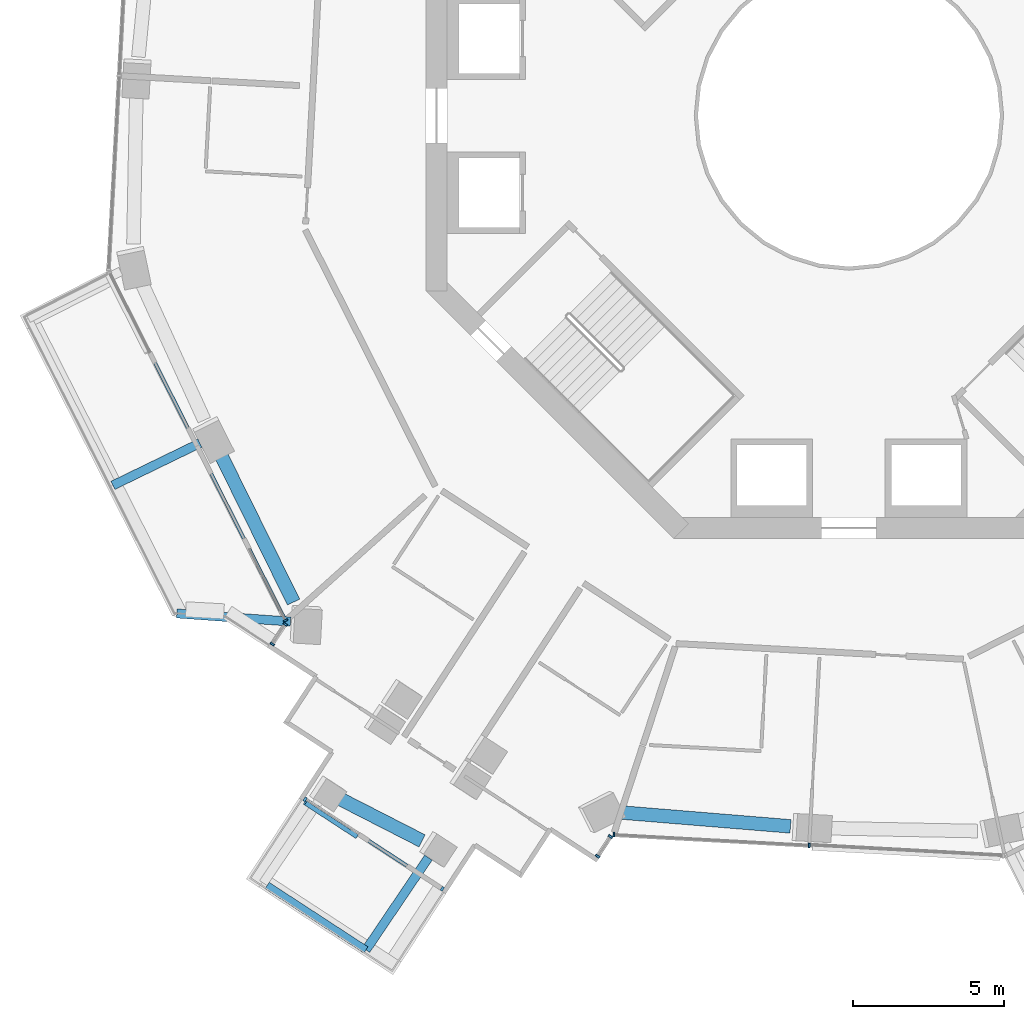
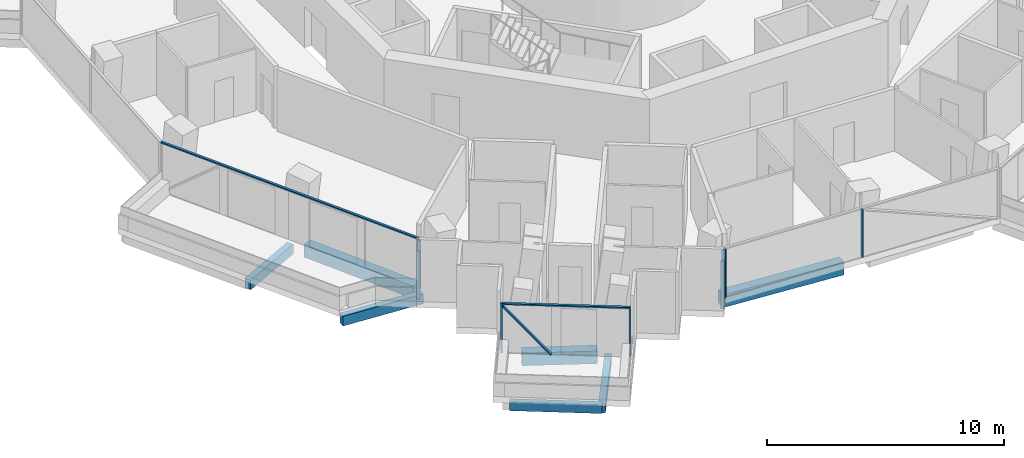
# One storey, part 2 of 23: 12 members, 7 beams, 5 elements without a shape of their own.
"""IFC4 building model written with IfcOpenShell, lengths in metres."""

from ifc_helpers import new_model, si_unit, direction, frame, origin, origin_2d, place, context, subcontext, project, spatial, rectangle, extrude, material, layer, layer_set, material_profile, profile_set, type_object, element, aggregate, save


model = new_model("IFC4")

# Units and contexts
model_context = context("Model", 3, precision=1e-05, world=origin(), true_north=direction((0.0, 1.0)))
body_context = subcontext(model_context, "Body", "Model", "MODEL_VIEW")
ifc_project = project(units=[si_unit("LENGTHUNIT", "METRE"), si_unit("AREAUNIT", "SQUARE_METRE"), si_unit("VOLUMEUNIT", "CUBIC_METRE"), si_unit("PLANEANGLEUNIT", "RADIAN"), si_unit("MASSUNIT", "GRAM", prefix="KILO")], contexts=[model_context])

# Site, building, storey
site_placement = place(None, origin())
site = spatial("IfcSite", under=ifc_project, at=site_placement, CompositionType="ELEMENT")
building_placement = place(site_placement, origin())
building = spatial("IfcBuilding", under=site, at=building_placement, Name="Verdalira Terraces Hotel", CompositionType="ELEMENT")
storey_placement = place(building_placement, frame((0.0, 0.0, 143.5)))
storey = spatial("IfcBuildingStorey", under=building, at=storey_placement, Name="L34", CompositionType="ELEMENT", Elevation=143.5)

# Beams
ifc_material_1 = material(Name="Concrete C40", Category="concrete")
ifc_material_profile_1 = material_profile(ifc_material_1, rectangle(XDim=0.300049, YDim=0.5, at=origin_2d()), Name="RC 300X500")
ifc_profile_set_1 = profile_set([ifc_material_profile_1], Name="Concrete C40")
beam_type_1 = type_object("IfcBeamType", Name="Balcony cantilever beam RC 300X500 C40", PredefinedType="BEAM", material=ifc_profile_set_1)
beam_1_placement = place(storey_placement, frame((-18.480225, -16.744141, -0.560059), z_axis=(-0.997468553, 0.071108977, 0.0), x_axis=(-0.071108977, -0.997468553, 0.0)))
element("IfcBeam", 1, at=beam_1_placement, inside=storey, type_object=beam_type_1, Name="Balcony cantilever beam R13-1", PredefinedType="BEAM", context=body_context, shape_type="SweptSolid", body=[
    extrude(rectangle(XDim=0.300049, YDim=0.5, at=origin_2d()), origin(), (0.0, 0.0, 1.0), 3.769775),
])
beam_2_placement = place(storey_placement, frame((-21.477783, -10.839111, -0.560059), z_axis=(-0.899404506, -0.437117302, 0.0), x_axis=(0.437117302, -0.899404506, 0.0)))
element("IfcBeam", 2, at=beam_2_placement, inside=storey, type_object=beam_type_1, Name="Balcony cantilever beam R13-3", PredefinedType="BEAM", context=body_context, shape_type="SweptSolid", body=[
    extrude(rectangle(XDim=0.300049, YDim=0.5, at=origin_2d()), origin(), (0.0, 0.0, 1.0), 3.200928),
])
beam_3_placement = place(storey_placement, frame((-13.916504, -24.556396, -0.560059), z_axis=(-0.56032406, -0.828273474, 0.0), x_axis=(0.828273474, -0.56032406, 0.0)))
element("IfcBeam", 3, at=beam_3_placement, inside=storey, type_object=beam_type_1, Name="Balcony cantilever beam R19-2", PredefinedType="BEAM", context=body_context, shape_type="SweptSolid", body=[
    extrude(rectangle(XDim=0.300049, YDim=0.5, at=origin_2d()), origin(), (0.0, 0.0, 1.0), 3.688232),
])
ifc_material_2 = material(Name="Concrete C40", Category="concrete")
ifc_material_profile_2 = material_profile(ifc_material_2, rectangle(XDim=0.25, YDim=0.449951, at=origin_2d()), Name="RC 250X450")
ifc_profile_set_2 = profile_set([ifc_material_profile_2], Name="Concrete C40")
beam_type_2 = type_object("IfcBeamType", Name="Balcony edge beam RC 250X450 C40", PredefinedType="BEAM", material=ifc_profile_set_2)
beam_4_placement = place(storey_placement, frame((-19.252197, -25.478516, -0.534912), z_axis=(0.837513527, -0.546416592, 0.0), x_axis=(0.546416592, 0.837513527, 0.0)))
element("IfcBeam", 4, at=beam_4_placement, inside=storey, type_object=beam_type_2, Name="Balcony edge beam R19-1", PredefinedType="BEAM", context=body_context, shape_type="SweptSolid", body=[
    extrude(rectangle(XDim=0.25, YDim=0.449951, at=origin_2d()), origin(), (0.0, 0.0, 1.0), 3.90332),
])

# Curtain wall, member
ifc_material_3 = material(Name="Clear glass", Category="glass")
ifc_layer_1 = layer(ifc_material_3, 0.14990234375)
ifc_layer_set_1 = layer_set([ifc_layer_1], Name="CW1 curtain wall")
curtain_wall_type_1 = type_object("IfcCurtainWallType", Name="CW1 curtain wall", PredefinedType="NOTDEFINED", material=ifc_layer_set_1)
curtain_wall_1_placement = place(storey_placement, origin())
curtain_wall_1 = element("IfcCurtainWall", 5, at=curtain_wall_1_placement, inside=storey, type_object=curtain_wall_type_1, Name="CW1 curtain wall L34 edge 13", PredefinedType="NOTDEFINED")
ifc_material_4 = material(Name="Terracotta frame", Category="masonry")
ifc_material_profile_3 = material_profile(ifc_material_4, rectangle(XDim=0.060059, YDim=0.149902, at=origin_2d()), Name="MU 60x150")
ifc_profile_set_3 = profile_set([ifc_material_profile_3], Name="Terracotta frame")
member_type_1 = type_object("IfcMemberType", Name="CW1 mullion 60x150", PredefinedType="MULLION", material=ifc_profile_set_3)
member_1_placement = place(storey_placement, frame((-18.645264, -16.704834, 0.0), z_axis=(0.0, 0.0, 1.0), x_axis=(0.452123386, -0.891955405, 0.0)))
member_1 = element("IfcMember", 6, at=member_1_placement, type_object=member_type_1, Name="CW1 mullion", PredefinedType="MULLION", context=body_context, shape_type="SweptSolid", body=[
    extrude(rectangle(XDim=0.060059, YDim=0.149902, at=origin_2d()), origin(), (0.0, 0.0, 1.0), 2.475098),
])

# Curtain wall, members
curtain_wall_2_placement = place(storey_placement, origin())
curtain_wall_2 = element("IfcCurtainWall", 7, at=curtain_wall_2_placement, inside=storey, type_object=curtain_wall_type_1, Name="CW1 curtain wall L34 edge 25", PredefinedType="NOTDEFINED")
member_2_placement = place(storey_placement, frame((-7.776611, -23.79541, 0.0), z_axis=(0.0, 0.0, 1.0), x_axis=(0.998517732, -0.054427365, 0.0)))
member_2 = element("IfcMember", 8, at=member_2_placement, type_object=member_type_1, Name="CW1 mullion", PredefinedType="MULLION", context=body_context, shape_type="SweptSolid", body=[
    extrude(rectangle(XDim=0.060059, YDim=0.149902, at=origin_2d()), origin(), (0.0, 0.0, 1.0), 2.475098),
])
member_3_placement = place(storey_placement, frame((-1.316162, -24.147461, 0.0), z_axis=(0.0, 0.0, 1.0), x_axis=(0.998517732, -0.054427365, 0.0)))
member_3 = element("IfcMember", 9, at=member_3_placement, type_object=member_type_1, Name="CW1 mullion", PredefinedType="MULLION", context=body_context, shape_type="SweptSolid", body=[
    extrude(rectangle(XDim=0.060059, YDim=0.149902, at=origin_2d()), origin(), (0.0, 0.0, 1.0), 2.475098),
])
aggregate(curtain_wall_2, [member_2, member_3])

# Member
ifc_material_5 = material(Name="Terracotta frame", Category="masonry")
ifc_material_profile_4 = material_profile(ifc_material_5, rectangle(XDim=0.110107, YDim=0.064941, at=origin_2d()), Name="TR 65x110")
ifc_profile_set_4 = profile_set([ifc_material_profile_4], Name="Terracotta frame")
member_type_2 = type_object("IfcMemberType", Name="CW1 transom 65x110", PredefinedType="USERDEFINED", material=ifc_profile_set_4)
member_4_placement = place(storey_placement, frame((-24.490967, -5.171875, 2.507568), z_axis=(0.452119885, -0.891957179, 0.0), x_axis=(0.891957179, 0.452119885, 0.0)))
member_4 = element("IfcMember", 10, at=member_4_placement, type_object=member_type_2, Name="CW1 transom", ObjectType="TRANSOM", PredefinedType="USERDEFINED", context=body_context, shape_type="SweptSolid", body=[
    extrude(rectangle(XDim=0.110107, YDim=0.064941, at=origin_2d()), origin(), (0.0, 0.0, 1.0), 12.959717),
])

aggregate(curtain_wall_1, [member_1, member_4])

# Curtain wall, members
ifc_material_6 = material(Name="Clear glass", Category="glass")
ifc_layer_2 = layer(ifc_material_6, 0.14990234375)
ifc_layer_set_2 = layer_set([ifc_layer_2], Name="CW2 curtain wall")
curtain_wall_type_2 = type_object("IfcCurtainWallType", Name="CW2 curtain wall", PredefinedType="NOTDEFINED", material=ifc_layer_set_2)
curtain_wall_3_placement = place(storey_placement, origin())
curtain_wall_3 = element("IfcCurtainWall", 11, at=curtain_wall_3_placement, inside=storey, type_object=curtain_wall_type_2, Name="CW2 curtain wall L34 edge 14", PredefinedType="NOTDEFINED")
ifc_material_7 = material(Name="Terracotta frame", Category="masonry")
ifc_material_profile_5 = material_profile(ifc_material_7, rectangle(XDim=0.070068, YDim=0.149902, at=origin_2d()), Name="MU 70x150")
ifc_profile_set_5 = profile_set([ifc_material_profile_5], Name="Terracotta frame")
member_type_3 = type_object("IfcMemberType", Name="CW2 mullion 70x150", PredefinedType="MULLION", material=ifc_profile_set_5)
member_5_placement = place(storey_placement, frame((-18.654785, -16.835693, 0.0), z_axis=(0.0, 0.0, 1.0), x_axis=(-0.546394347, -0.83752804, 0.0)))
member_5 = element("IfcMember", 12, at=member_5_placement, type_object=member_type_3, Name="CW2 mullion", PredefinedType="MULLION", context=body_context, shape_type="SweptSolid", body=[
    extrude(rectangle(XDim=0.070068, YDim=0.149902, at=origin_2d()), origin(), (0.0, 0.0, 1.0), 2.475098),
])
member_6_placement = place(storey_placement, frame((-19.081055, -17.489014, 0.0), z_axis=(0.0, 0.0, 1.0), x_axis=(-0.546394347, -0.83752804, 0.0)))
member_6 = element("IfcMember", 13, at=member_6_placement, type_object=member_type_3, Name="CW2 mullion", PredefinedType="MULLION", context=body_context, shape_type="SweptSolid", body=[
    extrude(rectangle(XDim=0.070068, YDim=0.149902, at=origin_2d()), origin(), (0.0, 0.0, 1.0), 2.475098),
])
aggregate(curtain_wall_3, [member_5, member_6])

curtain_wall_4_placement = place(storey_placement, origin())
curtain_wall_4 = element("IfcCurtainWall", 14, at=curtain_wall_4_placement, inside=storey, type_object=curtain_wall_type_2, Name="CW2 curtain wall L34 edge 24", PredefinedType="NOTDEFINED")
member_7_placement = place(storey_placement, frame((-8.318848, -24.510254, 0.0), z_axis=(0.0, 0.0, 1.0), x_axis=(0.546394347, 0.83752804, 0.0)))
member_7 = element("IfcMember", 15, at=member_7_placement, type_object=member_type_3, Name="CW2 mullion", PredefinedType="MULLION", context=body_context, shape_type="SweptSolid", body=[
    extrude(rectangle(XDim=0.070068, YDim=0.149902, at=origin_2d()), origin(), (0.0, 0.0, 1.0), 2.475098),
])
member_8_placement = place(storey_placement, frame((-7.892578, -23.856934, 0.0), z_axis=(0.0, 0.0, 1.0), x_axis=(0.546394347, 0.83752804, 0.0)))
member_8 = element("IfcMember", 16, at=member_8_placement, type_object=member_type_3, Name="CW2 mullion", PredefinedType="MULLION", context=body_context, shape_type="SweptSolid", body=[
    extrude(rectangle(XDim=0.070068, YDim=0.149902, at=origin_2d()), origin(), (0.0, 0.0, 1.0), 2.475098),
])
aggregate(curtain_wall_4, [member_7, member_8])

ifc_material_8 = material(Name="Clear glass", Category="glass")
ifc_layer_3 = layer(ifc_material_8, 0.14990234375)
ifc_layer_set_3 = layer_set([ifc_layer_3], Name="CW3 curtain wall")
curtain_wall_type_3 = type_object("IfcCurtainWallType", Name="CW3 curtain wall", PredefinedType="NOTDEFINED", material=ifc_layer_set_3)
curtain_wall_5_placement = place(storey_placement, origin())
curtain_wall_5 = element("IfcCurtainWall", 17, at=curtain_wall_5_placement, inside=storey, type_object=curtain_wall_type_3, Name="CW3 curtain wall L34 edge 19", PredefinedType="NOTDEFINED")
ifc_material_9 = material(Name="Terracotta frame", Category="masonry")
ifc_material_profile_6 = material_profile(ifc_material_9, rectangle(XDim=0.080078, YDim=0.149902, at=origin_2d()), Name="MU 80x150")
ifc_profile_set_6 = profile_set([ifc_material_profile_6], Name="Terracotta frame")
member_type_4 = type_object("IfcMemberType", Name="CW3 mullion 80x150", PredefinedType="MULLION", material=ifc_profile_set_6)
member_9_placement = place(storey_placement, frame((-17.996826, -22.626221, 0.0), z_axis=(0.0, 0.0, 1.0), x_axis=(0.83752804, -0.546394347, 0.0)))
member_9 = element("IfcMember", 18, at=member_9_placement, type_object=member_type_4, Name="CW3 mullion", PredefinedType="MULLION", context=body_context, shape_type="SweptSolid", body=[
    extrude(rectangle(XDim=0.080078, YDim=0.149902, at=origin_2d()), origin(), (0.0, 0.0, 1.0), 2.475098),
])
member_10_placement = place(storey_placement, frame((-13.457275, -25.587646, 0.0), z_axis=(0.0, 0.0, 1.0), x_axis=(0.83752804, -0.546394347, 0.0)))
member_10 = element("IfcMember", 19, at=member_10_placement, type_object=member_type_4, Name="CW3 mullion", PredefinedType="MULLION", context=body_context, shape_type="SweptSolid", body=[
    extrude(rectangle(XDim=0.080078, YDim=0.149902, at=origin_2d()), origin(), (0.0, 0.0, 1.0), 2.475098),
])
ifc_material_10 = material(Name="Terracotta frame", Category="masonry")
ifc_material_profile_7 = material_profile(ifc_material_10, rectangle(XDim=0.120117, YDim=0.064941, at=origin_2d()), Name="TR 65x120")
ifc_profile_set_7 = profile_set([ifc_material_profile_7], Name="Terracotta frame")
member_type_5 = type_object("IfcMemberType", Name="CW3 transom 65x120", PredefinedType="USERDEFINED", material=ifc_profile_set_7)
member_11_placement = place(storey_placement, frame((-18.030273, -22.604248, 2.507568), z_axis=(0.837533761, -0.546385577, 0.0), x_axis=(0.546385577, 0.837533761, 0.0)))
member_11 = element("IfcMember", 20, at=member_11_placement, type_object=member_type_5, Name="CW3 transom", ObjectType="TRANSOM", PredefinedType="USERDEFINED", context=body_context, shape_type="SweptSolid", body=[
    extrude(rectangle(XDim=0.120117, YDim=0.064941, at=origin_2d()), origin(), (0.0, 0.0, 1.0), 5.5),
])
ifc_material_11 = material(Name="Terracotta frame", Category="masonry")
ifc_material_profile_8 = material_profile(ifc_material_11, rectangle(XDim=0.149902, YDim=0.060059, at=origin_2d()), Name="GB 60x150")
ifc_profile_set_8 = profile_set([ifc_material_profile_8], Name="Terracotta frame")
member_type_6 = type_object("IfcMemberType", Name="Diagonal glazing bar 60x150", PredefinedType="USERDEFINED", material=ifc_profile_set_8)
member_12_placement = place(storey_placement, frame((-17.993652, -22.739014, 2.446045), z_axis=(0.538838821, -0.351571261, -0.765539269), x_axis=(0.546436397, 0.837500605, 0.0)))
member_12 = element("IfcMember", 21, at=member_12_placement, type_object=member_type_6, Name="Diagonal glazing bar", ObjectType="GLAZING BAR", PredefinedType="USERDEFINED", context=body_context, shape_type="SweptSolid", body=[
    extrude(rectangle(XDim=0.149902, YDim=0.060059, at=origin_2d()), origin(), (0.0, 0.0, 1.0), 3.157471),
])
aggregate(curtain_wall_5, [member_9, member_10, member_11, member_12])

# Beams
ifc_material_12 = material(Name="Concrete C50", Category="concrete")
ifc_material_profile_9 = material_profile(ifc_material_12, rectangle(XDim=0.449951, YDim=0.649902, at=origin_2d()), Name="RC 450X650")
ifc_profile_set_9 = profile_set([ifc_material_profile_9], Name="Concrete C50")
beam_type_3 = type_object("IfcBeamType", Name="Spandrel beam RC 450X650 C50", PredefinedType="SPANDREL", material=ifc_profile_set_9)
beam_5_placement = place(storey_placement, frame((-20.833496, -11.127686, -0.63501), z_axis=(0.442893493, -0.896574232, 0.0), x_axis=(0.896574232, 0.442893493, 0.0)))
element("IfcBeam", 22, at=beam_5_placement, inside=storey, type_object=beam_type_3, Name="Spandrel beam B07", PredefinedType="SPANDREL", context=body_context, shape_type="SweptSolid", body=[
    extrude(rectangle(XDim=0.449951, YDim=0.649902, at=origin_2d()), origin(), (0.0, 0.0, 1.0), 5.544922),
])
beam_6_placement = place(storey_placement, frame((-16.968262, -22.545898, -0.63501), z_axis=(0.890165937, -0.455636482, 0.0), x_axis=(0.455636482, 0.890165937, 0.0)))
element("IfcBeam", 23, at=beam_6_placement, inside=storey, type_object=beam_type_3, Name="Spandrel beam B08", PredefinedType="SPANDREL", context=body_context, shape_type="SweptSolid", body=[
    extrude(rectangle(XDim=0.449951, YDim=0.649902, at=origin_2d()), origin(), (0.0, 0.0, 1.0), 3.192383),
])
beam_7_placement = place(storey_placement, frame((-7.586914, -23.057617, -0.63501), z_axis=(0.99664976, -0.08178787, 0.0), x_axis=(0.08178787, 0.99664976, 0.0)))
element("IfcBeam", 24, at=beam_7_placement, inside=storey, type_object=beam_type_3, Name="Spandrel beam B09", PredefinedType="SPANDREL", context=body_context, shape_type="SweptSolid", body=[
    extrude(rectangle(XDim=0.449951, YDim=0.649902, at=origin_2d()), origin(), (0.0, 0.0, 1.0), 5.671631),
])

save(model, "model.ifc")
